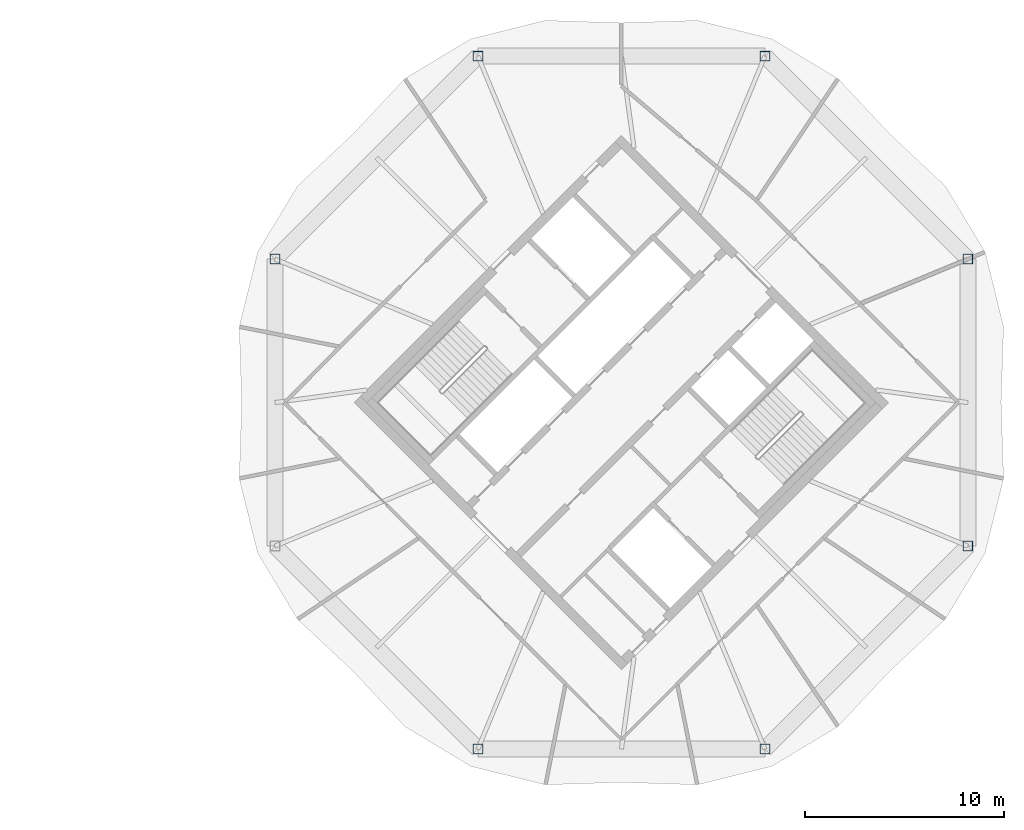
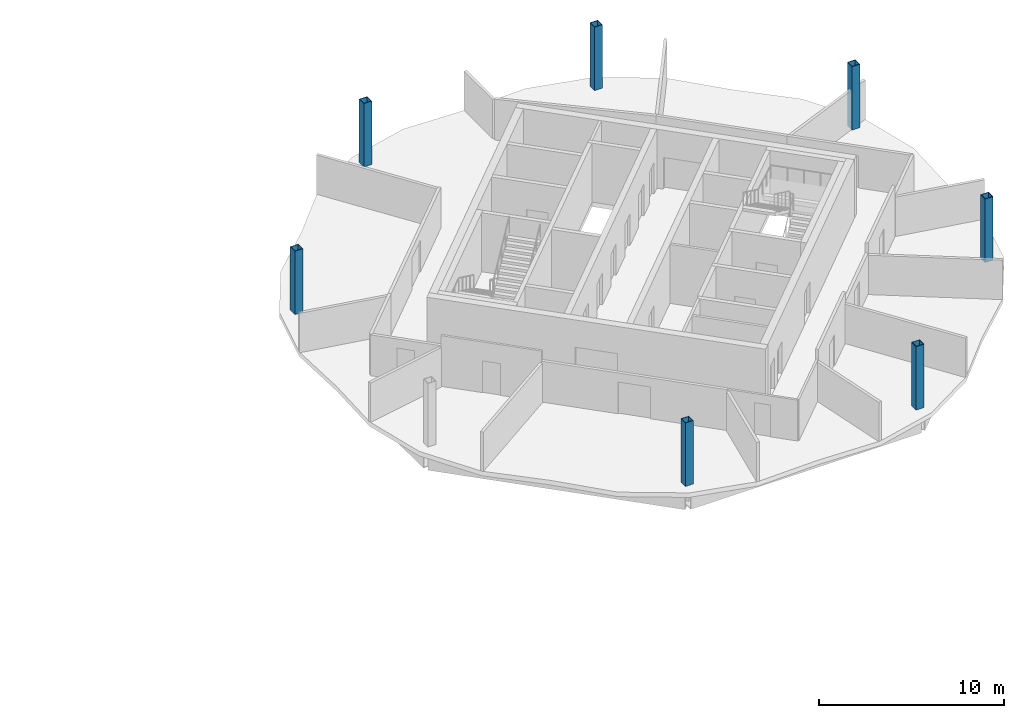
# One storey, part 2 of 10: 7 columns.
"""IFC4 building model written with IfcOpenShell, lengths in metres."""

import ifcopenshell
import ifcopenshell.guid

model = None  # the IFC model being written
_history = None  # IfcOwnerHistory: only IFC2X3 demands one
_inside = {}  # id of a spatial element -> (the spatial element, [elements in it])
_under = {}  # id of a project, library or spatial element -> (it, [spatial elements below it])
_declared = {}  # id of a project -> (the project, [libraries it declares])
_typed = {}  # id of a type object -> (the type object, [elements of that type])
_made_of = {}  # id of a material, layer set ... -> (it, [elements and type objects made of it])


def new_model(schema):
    """Start an empty IFC model of exactly this schema.

    Asked for "IFC4X3", IfcOpenShell would pick the latest addendum, in which some entities
    have other attributes; the version numbers below select the first issue.
    IFC2X3 requires an IfcOwnerHistory on every rooted entity: one is made here for all.
    """
    global model, _history
    if schema == "IFC4X3":
        model = ifcopenshell.file(schema_version=(4, 3, 0, 0))
    else:
        model = ifcopenshell.file(schema=schema)
    _inside.clear()
    _under.clear()
    _declared.clear()
    _typed.clear()
    _made_of.clear()
    _history = None
    if model.schema == "IFC2X3":
        org = make("IfcOrganization", Name="unknown")
        user = make(
            "IfcPersonAndOrganization",
            ThePerson=make("IfcPerson", FamilyName="unknown"),
            TheOrganization=org,
        )
        app = make(
            "IfcApplication",
            ApplicationDeveloper=org,
            Version="unknown",
            ApplicationFullName="unknown",
            ApplicationIdentifier="unknown",
        )
        _history = make(
            "IfcOwnerHistory",
            OwningUser=user,
            OwningApplication=app,
            ChangeAction="ADDED",
            CreationDate=0,
        )
    return model


def make(cls, **values):
    """One entity of the class cls with the attributes given. An attribute that is None is left unset."""
    return model.create_entity(
        cls, **{name: value for name, value in values.items() if value is not None}
    )


def rooted(cls, **values):
    """An entity with a GlobalId (a new one), such as an element, a storey or a relation."""
    return make(cls, GlobalId=ifcopenshell.guid.new(), OwnerHistory=_history, **values)


def si_unit(unit_type, name, prefix=None):
    """IfcSIUnit, for example si_unit("LENGTHUNIT", "METRE", prefix="MILLI")."""
    return make("IfcSIUnit", UnitType=unit_type, Prefix=prefix, Name=name)


def assignment(units):
    """IfcUnitAssignment: the units of a project."""
    return None if units is None else make("IfcUnitAssignment", Units=units)


def point(xyz):
    """IfcCartesianPoint."""
    return None if xyz is None else make("IfcCartesianPoint", Coordinates=xyz)


def direction(xyz):
    """IfcDirection."""
    return None if xyz is None else make("IfcDirection", DirectionRatios=xyz)


def frame(location, z_axis=None, x_axis=None):
    """IfcAxis2Placement3D, a coordinate frame: its origin and axes. An axis left out is left unset."""
    return make(
        "IfcAxis2Placement3D",
        Location=point(location),
        Axis=direction(z_axis),
        RefDirection=direction(x_axis),
    )


def frame_2d(location, x_axis=None):
    """IfcAxis2Placement2D, a coordinate frame in the plane: its origin and x axis."""
    return make(
        "IfcAxis2Placement2D", Location=point(location), RefDirection=direction(x_axis)
    )


def origin():
    """The frame at (0, 0, 0) with its axes left unset."""
    return frame((0.0, 0.0, 0.0))


def origin_2d():
    """The frame at (0, 0) in the plane with its x axis left unset."""
    return frame_2d((0.0, 0.0))


def place(relative_to, where):
    """IfcLocalPlacement: puts the frame where relative to a parent placement (None: the world)."""
    return make(
        "IfcLocalPlacement", PlacementRelTo=relative_to, RelativePlacement=where
    )


def context(
    kind, dimensions, precision=None, world=None, true_north=None, identifier=None
):
    """IfcGeometricRepresentationContext, for example the 3D "Model" context."""
    return make(
        "IfcGeometricRepresentationContext",
        ContextIdentifier=identifier,
        ContextType=kind,
        CoordinateSpaceDimension=dimensions,
        Precision=precision,
        WorldCoordinateSystem=world,
        TrueNorth=true_north,
    )


def subcontext(parent, identifier, kind, view, scale=None):
    """IfcGeometricRepresentationSubContext, for example "Body" below "Model"."""
    return make(
        "IfcGeometricRepresentationSubContext",
        ContextIdentifier=identifier,
        ContextType=kind,
        ParentContext=parent,
        TargetScale=scale,
        TargetView=view,
    )


def project(units=None, contexts=None):
    """IfcProject with its units and contexts."""
    return rooted(
        "IfcProject",
        Name="project",
        RepresentationContexts=contexts,
        UnitsInContext=assignment(units),
    )


def spatial(cls, under=None, at=None, **own):
    """A site, building, storey or space (cls), placed at a placement, below another one or the project."""
    s = rooted(cls, ObjectPlacement=at, **own)
    if under is not None:
        _under.setdefault(under.id(), (under, []))[1].append(s)
    return s


def profile(cls, at=None, kind="AREA", **sizes):
    """A parametric profile (cls). Its sizes go by their IFC names, for example OverallWidth=200.0."""
    return make(cls, ProfileType=kind, Position=at, **sizes)


def hollow_rectangle(**sizes):
    """IfcRectangleHollowProfileDef."""
    return profile("IfcRectangleHollowProfileDef", **sizes)


def extrude(swept, where, along, depth):
    """IfcExtrudedAreaSolid: the profile swept, set in the frame where, extruded along a direction by depth."""
    return make(
        "IfcExtrudedAreaSolid",
        SweptArea=swept,
        Position=where,
        ExtrudedDirection=direction(along),
        Depth=depth,
    )


def shape(context_of_items, identifier, shape_type, items):
    """IfcShapeRepresentation: the items that make up one representation, for example the "Body"."""
    return make(
        "IfcShapeRepresentation",
        ContextOfItems=context_of_items,
        RepresentationIdentifier=identifier,
        RepresentationType=shape_type,
        Items=items,
    )


def material(Name=None, Category=None):
    """IfcMaterial."""
    return make("IfcMaterial", Name=Name, Category=Category)


def material_profile(
    of_material, cross_section, Name=None, Category=None, Priority=None
):
    """IfcMaterialProfile: a cross section and its material."""
    return make(
        "IfcMaterialProfile",
        Name=Name,
        Material=of_material,
        Profile=cross_section,
        Priority=Priority,
        Category=Category,
    )


def profile_set(profiles, Name=None, composite=None):
    """IfcMaterialProfileSet."""
    return make(
        "IfcMaterialProfileSet",
        Name=Name,
        MaterialProfiles=profiles,
        CompositeProfile=composite,
    )


def made_of(thing, what):
    """Note that an element or type object is made of a material, layer set ...; save() writes the relation."""
    if what is not None:
        _made_of.setdefault(what.id(), (what, []))[1].append(thing)
    return thing


def type_object(cls, material=None, **own):
    """A type object (cls), such as IfcWallType, which elements share."""
    return made_of(rooted(cls, **own), material)


def element(
    cls,
    number,
    at=None,
    inside=None,
    cuts=None,
    type_object=None,
    material=None,
    context=None,
    identifier="Body",
    shape_type=None,
    held_by="IfcProductDefinitionShape",
    body=None,
    shapes=None,
    **own,
):
    """One element of the class cls, such as IfcWall. Its Tag is "e" and its number.

    at: its placement. inside: the storey or other place that contains it. cuts: it is an
    opening in that element (IfcRelVoidsElement). A single representation is given by context,
    identifier, shape_type and body (its items); several are given by shapes. held_by: the class
    of the entity that holds the representations. save() writes the other relations.
    """
    e = rooted(cls, Tag="e%d" % number, ObjectPlacement=at, **own)
    if body is not None:
        shapes = [shape(context, identifier, shape_type, body)]
    if shapes is not None:
        e.Representation = make(held_by, Representations=shapes)
    if inside is not None:
        _inside.setdefault(inside.id(), (inside, []))[1].append(e)
    if cuts is not None:
        rooted(
            "IfcRelVoidsElement", RelatingBuildingElement=cuts, RelatedOpeningElement=e
        )
    if type_object is not None:
        _typed.setdefault(type_object.id(), (type_object, []))[1].append(e)
    return made_of(e, material)


def aggregate(whole, parts):
    """IfcRelAggregates: a whole, such as a stair, and the parts it consists of."""
    return rooted("IfcRelAggregates", RelatingObject=whole, RelatedObjects=parts)


def save(model, path):
    """Write the relations noted so far, then the file.

    IfcRelAggregates (storeys below a building ...), IfcRelContainedInSpatialStructure (elements
    in a storey), IfcRelDefinesByType, IfcRelAssociatesMaterial and IfcRelDeclares: one each for
    every whole, place, type object, material and project.
    """
    for whole, parts in _under.values():
        aggregate(whole, parts)
    for where, things in _inside.values():
        rooted(
            "IfcRelContainedInSpatialStructure",
            RelatedElements=things,
            RelatingStructure=where,
        )
    for kind, things in _typed.values():
        rooted("IfcRelDefinesByType", RelatedObjects=things, RelatingType=kind)
    for what, things in _made_of.values():
        rooted("IfcRelAssociatesMaterial", RelatedObjects=things, RelatingMaterial=what)
    for by, libraries in _declared.values():
        rooted("IfcRelDeclares", RelatingContext=by, RelatedDefinitions=libraries)
    model.write(path)


model = new_model("IFC4")

# Units and contexts
model_context = context("Model", 3, precision=1e-05, world=origin(), true_north=direction((0.0, 1.0)))
body_context = subcontext(model_context, "Body", "Model", "MODEL_VIEW")
ifc_project = project(units=[si_unit("LENGTHUNIT", "METRE"), si_unit("AREAUNIT", "SQUARE_METRE"), si_unit("VOLUMEUNIT", "CUBIC_METRE"), si_unit("PLANEANGLEUNIT", "RADIAN"), si_unit("MASSUNIT", "GRAM", prefix="KILO")], contexts=[model_context])

# Site, building, storey
site_placement = place(None, origin())
site = spatial("IfcSite", under=ifc_project, at=site_placement, CompositionType="ELEMENT")
building_placement = place(site_placement, origin())
building = spatial("IfcBuilding", under=site, at=building_placement, Name="Ogive Gate Towers", CompositionType="ELEMENT")
storey_placement = place(building_placement, frame((0.0, 0.0, 260.39990234375)))
storey = spatial("IfcBuildingStorey", under=building, at=storey_placement, Name="L61", CompositionType="ELEMENT", Elevation=260.39990234375)

# Columns
ifc_material = material(Name="Steel SM460", Category="steel")
ifc_material_profile = material_profile(ifc_material, hollow_rectangle(XDim=0.5, YDim=0.5, WallThickness=0.030029296875, at=origin_2d()), Name="BX 500x500x30")
ifc_profile_set = profile_set([ifc_material_profile], Name="Steel SM460")
column_type = type_object("IfcColumnType", Name="Perimeter post BX 500x500x30", PredefinedType="COLUMN", material=ifc_profile_set)
for number, where, z_axis, x_axis, name in (
    (1, (53.42431640625, 7.217529296875, 0.0), (0.0, 0.0, 1.0), (1.0, 0.0, 0.0), "T2/L61/SCL001"),
    (2, (43.217529296875, 17.42431640625, 0.0), (0.0, 0.0, 1.0), (1.0, 0.0, 0.0), "T2/L61/SCL002"),
    (3, (28.782470703125, 17.42431640625, 0.0), (0.0, 0.0, 1.0), (1.0, 0.0, 0.0), "T2/L61/SCL003"),
    (4, (18.57568359375, 7.217529296875, 0.0), (0.0, 0.0, 1.0), (1.0, 0.0, 0.0), "T2/L61/SCL004"),
    (5, (28.782470703125, -17.42431640625, 0.0), (0.0, 0.0, 1.0), (1.0, 0.0, 0.0), "T2/L61/SCL006"),
    (6, (43.217529296875, -17.42431640625, 0.0), (0.0, 0.0, 1.0), (1.0, 0.0, 0.0), "T2/L61/SCL007"),
    (7, (53.42431640625, -7.217529296875, 0.0), (0.0, 0.0, 1.0), (1.0, 0.0, 0.0), "T2/L61/SCL008"),
):
    element("IfcColumn", number, at=place(storey_placement, frame(where, z_axis=z_axis, x_axis=x_axis)), inside=storey, type_object=column_type, Name=name, PredefinedType="COLUMN", context=body_context, shape_type="SweptSolid", body=[
        extrude(hollow_rectangle(XDim=0.5, YDim=0.5, WallThickness=0.030029296875, at=origin_2d()), origin(), (0.0, 0.0, 1.0), 4.2001953125),
    ])

save(model, "model.ifc")
